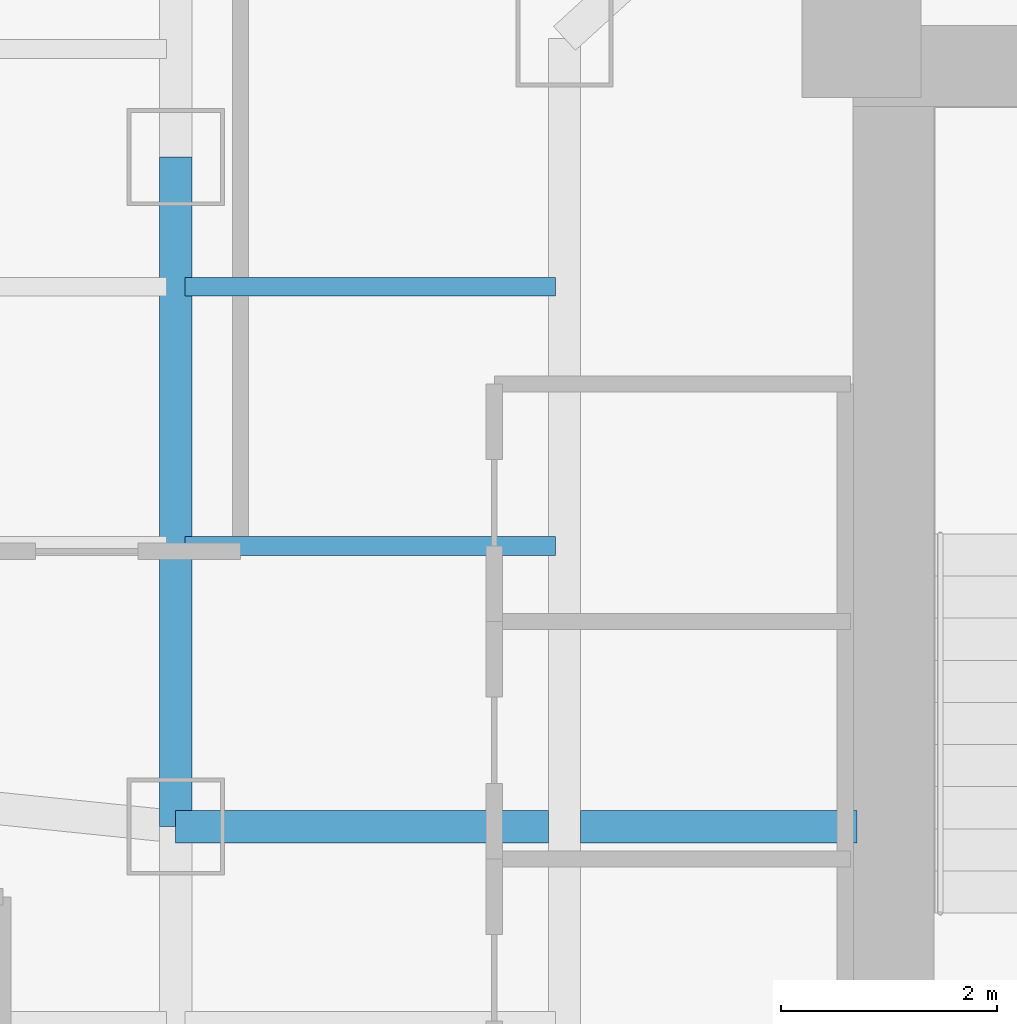
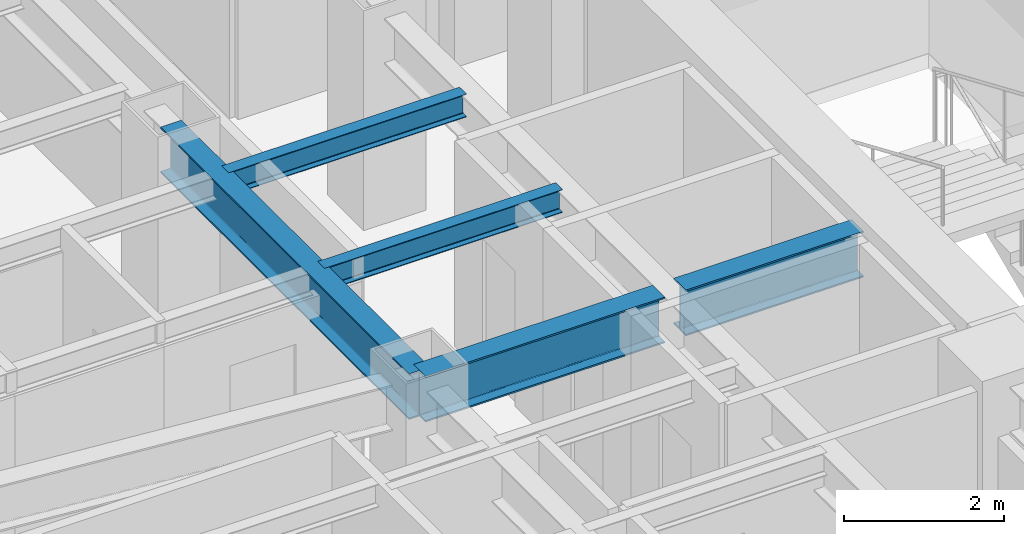
# One storey, part 16 of 30: 5 beams.
"""IFC4 building model written with IfcOpenShell, lengths in metres."""

import ifcopenshell
import ifcopenshell.guid

model = None  # the IFC model being written
_history = None  # IfcOwnerHistory: only IFC2X3 demands one
_inside = {}  # id of a spatial element -> (the spatial element, [elements in it])
_under = {}  # id of a project, library or spatial element -> (it, [spatial elements below it])
_declared = {}  # id of a project -> (the project, [libraries it declares])
_typed = {}  # id of a type object -> (the type object, [elements of that type])
_made_of = {}  # id of a material, layer set ... -> (it, [elements and type objects made of it])


def new_model(schema):
    """Start an empty IFC model of exactly this schema.

    Asked for "IFC4X3", IfcOpenShell would pick the latest addendum, in which some entities
    have other attributes; the version numbers below select the first issue.
    IFC2X3 requires an IfcOwnerHistory on every rooted entity: one is made here for all.
    """
    global model, _history
    if schema == "IFC4X3":
        model = ifcopenshell.file(schema_version=(4, 3, 0, 0))
    else:
        model = ifcopenshell.file(schema=schema)
    _inside.clear()
    _under.clear()
    _declared.clear()
    _typed.clear()
    _made_of.clear()
    _history = None
    if model.schema == "IFC2X3":
        org = make("IfcOrganization", Name="unknown")
        user = make(
            "IfcPersonAndOrganization",
            ThePerson=make("IfcPerson", FamilyName="unknown"),
            TheOrganization=org,
        )
        app = make(
            "IfcApplication",
            ApplicationDeveloper=org,
            Version="unknown",
            ApplicationFullName="unknown",
            ApplicationIdentifier="unknown",
        )
        _history = make(
            "IfcOwnerHistory",
            OwningUser=user,
            OwningApplication=app,
            ChangeAction="ADDED",
            CreationDate=0,
        )
    return model


def make(cls, **values):
    """One entity of the class cls with the attributes given. An attribute that is None is left unset."""
    return model.create_entity(
        cls, **{name: value for name, value in values.items() if value is not None}
    )


def rooted(cls, **values):
    """An entity with a GlobalId (a new one), such as an element, a storey or a relation."""
    return make(cls, GlobalId=ifcopenshell.guid.new(), OwnerHistory=_history, **values)


def si_unit(unit_type, name, prefix=None):
    """IfcSIUnit, for example si_unit("LENGTHUNIT", "METRE", prefix="MILLI")."""
    return make("IfcSIUnit", UnitType=unit_type, Prefix=prefix, Name=name)


def assignment(units):
    """IfcUnitAssignment: the units of a project."""
    return None if units is None else make("IfcUnitAssignment", Units=units)


def point(xyz):
    """IfcCartesianPoint."""
    return None if xyz is None else make("IfcCartesianPoint", Coordinates=xyz)


def direction(xyz):
    """IfcDirection."""
    return None if xyz is None else make("IfcDirection", DirectionRatios=xyz)


def frame(location, z_axis=None, x_axis=None):
    """IfcAxis2Placement3D, a coordinate frame: its origin and axes. An axis left out is left unset."""
    return make(
        "IfcAxis2Placement3D",
        Location=point(location),
        Axis=direction(z_axis),
        RefDirection=direction(x_axis),
    )


def frame_2d(location, x_axis=None):
    """IfcAxis2Placement2D, a coordinate frame in the plane: its origin and x axis."""
    return make(
        "IfcAxis2Placement2D", Location=point(location), RefDirection=direction(x_axis)
    )


def origin():
    """The frame at (0, 0, 0) with its axes left unset."""
    return frame((0.0, 0.0, 0.0))


def origin_2d():
    """The frame at (0, 0) in the plane with its x axis left unset."""
    return frame_2d((0.0, 0.0))


def place(relative_to, where):
    """IfcLocalPlacement: puts the frame where relative to a parent placement (None: the world)."""
    return make(
        "IfcLocalPlacement", PlacementRelTo=relative_to, RelativePlacement=where
    )


def context(
    kind, dimensions, precision=None, world=None, true_north=None, identifier=None
):
    """IfcGeometricRepresentationContext, for example the 3D "Model" context."""
    return make(
        "IfcGeometricRepresentationContext",
        ContextIdentifier=identifier,
        ContextType=kind,
        CoordinateSpaceDimension=dimensions,
        Precision=precision,
        WorldCoordinateSystem=world,
        TrueNorth=true_north,
    )


def subcontext(parent, identifier, kind, view, scale=None):
    """IfcGeometricRepresentationSubContext, for example "Body" below "Model"."""
    return make(
        "IfcGeometricRepresentationSubContext",
        ContextIdentifier=identifier,
        ContextType=kind,
        ParentContext=parent,
        TargetScale=scale,
        TargetView=view,
    )


def project(units=None, contexts=None):
    """IfcProject with its units and contexts."""
    return rooted(
        "IfcProject",
        Name="project",
        RepresentationContexts=contexts,
        UnitsInContext=assignment(units),
    )


def spatial(cls, under=None, at=None, **own):
    """A site, building, storey or space (cls), placed at a placement, below another one or the project."""
    s = rooted(cls, ObjectPlacement=at, **own)
    if under is not None:
        _under.setdefault(under.id(), (under, []))[1].append(s)
    return s


def profile(cls, at=None, kind="AREA", **sizes):
    """A parametric profile (cls). Its sizes go by their IFC names, for example OverallWidth=200.0."""
    return make(cls, ProfileType=kind, Position=at, **sizes)


def i_section(**sizes):
    """IfcIShapeProfileDef."""
    return profile("IfcIShapeProfileDef", **sizes)


def extrude(swept, where, along, depth):
    """IfcExtrudedAreaSolid: the profile swept, set in the frame where, extruded along a direction by depth."""
    return make(
        "IfcExtrudedAreaSolid",
        SweptArea=swept,
        Position=where,
        ExtrudedDirection=direction(along),
        Depth=depth,
    )


def shape(context_of_items, identifier, shape_type, items):
    """IfcShapeRepresentation: the items that make up one representation, for example the "Body"."""
    return make(
        "IfcShapeRepresentation",
        ContextOfItems=context_of_items,
        RepresentationIdentifier=identifier,
        RepresentationType=shape_type,
        Items=items,
    )


def material(Name=None, Category=None):
    """IfcMaterial."""
    return make("IfcMaterial", Name=Name, Category=Category)


def material_profile(
    of_material, cross_section, Name=None, Category=None, Priority=None
):
    """IfcMaterialProfile: a cross section and its material."""
    return make(
        "IfcMaterialProfile",
        Name=Name,
        Material=of_material,
        Profile=cross_section,
        Priority=Priority,
        Category=Category,
    )


def profile_set(profiles, Name=None, composite=None):
    """IfcMaterialProfileSet."""
    return make(
        "IfcMaterialProfileSet",
        Name=Name,
        MaterialProfiles=profiles,
        CompositeProfile=composite,
    )


def made_of(thing, what):
    """Note that an element or type object is made of a material, layer set ...; save() writes the relation."""
    if what is not None:
        _made_of.setdefault(what.id(), (what, []))[1].append(thing)
    return thing


def type_object(cls, material=None, **own):
    """A type object (cls), such as IfcWallType, which elements share."""
    return made_of(rooted(cls, **own), material)


def element(
    cls,
    number,
    at=None,
    inside=None,
    cuts=None,
    type_object=None,
    material=None,
    context=None,
    identifier="Body",
    shape_type=None,
    held_by="IfcProductDefinitionShape",
    body=None,
    shapes=None,
    **own,
):
    """One element of the class cls, such as IfcWall. Its Tag is "e" and its number.

    at: its placement. inside: the storey or other place that contains it. cuts: it is an
    opening in that element (IfcRelVoidsElement). A single representation is given by context,
    identifier, shape_type and body (its items); several are given by shapes. held_by: the class
    of the entity that holds the representations. save() writes the other relations.
    """
    e = rooted(cls, Tag="e%d" % number, ObjectPlacement=at, **own)
    if body is not None:
        shapes = [shape(context, identifier, shape_type, body)]
    if shapes is not None:
        e.Representation = make(held_by, Representations=shapes)
    if inside is not None:
        _inside.setdefault(inside.id(), (inside, []))[1].append(e)
    if cuts is not None:
        rooted(
            "IfcRelVoidsElement", RelatingBuildingElement=cuts, RelatedOpeningElement=e
        )
    if type_object is not None:
        _typed.setdefault(type_object.id(), (type_object, []))[1].append(e)
    return made_of(e, material)


def aggregate(whole, parts):
    """IfcRelAggregates: a whole, such as a stair, and the parts it consists of."""
    return rooted("IfcRelAggregates", RelatingObject=whole, RelatedObjects=parts)


def save(model, path):
    """Write the relations noted so far, then the file.

    IfcRelAggregates (storeys below a building ...), IfcRelContainedInSpatialStructure (elements
    in a storey), IfcRelDefinesByType, IfcRelAssociatesMaterial and IfcRelDeclares: one each for
    every whole, place, type object, material and project.
    """
    for whole, parts in _under.values():
        aggregate(whole, parts)
    for where, things in _inside.values():
        rooted(
            "IfcRelContainedInSpatialStructure",
            RelatedElements=things,
            RelatingStructure=where,
        )
    for kind, things in _typed.values():
        rooted("IfcRelDefinesByType", RelatedObjects=things, RelatingType=kind)
    for what, things in _made_of.values():
        rooted("IfcRelAssociatesMaterial", RelatedObjects=things, RelatingMaterial=what)
    for by, libraries in _declared.values():
        rooted("IfcRelDeclares", RelatingContext=by, RelatedDefinitions=libraries)
    model.write(path)


model = new_model("IFC4")

# Units and contexts
model_context = context("Model", 3, precision=1e-05, world=origin(), true_north=direction((0.0, 1.0)))
body_context = subcontext(model_context, "Body", "Model", "MODEL_VIEW")
ifc_project = project(units=[si_unit("LENGTHUNIT", "METRE"), si_unit("AREAUNIT", "SQUARE_METRE"), si_unit("VOLUMEUNIT", "CUBIC_METRE"), si_unit("PLANEANGLEUNIT", "RADIAN"), si_unit("MASSUNIT", "GRAM", prefix="KILO")], contexts=[model_context])

# Site, building, storey
site_placement = place(None, origin())
site = spatial("IfcSite", under=ifc_project, at=site_placement, CompositionType="ELEMENT")
building_placement = place(site_placement, origin())
building = spatial("IfcBuilding", under=site, at=building_placement, Name="Hatsunagi Terrace Concourse", CompositionType="ELEMENT")
storey_placement = place(building_placement, frame((0.0, 0.0, 74.60009765625)))
storey = spatial("IfcBuildingStorey", under=building, at=storey_placement, Name="L19", CompositionType="ELEMENT", Elevation=74.60009765625)

# Beams
ifc_material_1 = material(Name="Steel SN490B", Category="steel")
ifc_material_profile_1 = material_profile(ifc_material_1, i_section(OverallWidth=0.300048828125, OverallDepth=0.699951171875, WebThickness=0.012939453125, FlangeThickness=0.02392578125, FilletRadius=0.02197265625, at=origin_2d()), Name="H-700x300x13x24")
ifc_profile_set_1 = profile_set([ifc_material_profile_1], Name="Steel SN490B")
beam_type_1 = type_object("IfcBeamType", Name="HotelFloorGirder_H_700x300", PredefinedType="BEAM", material=ifc_profile_set_1)
beam_1_placement = place(storey_placement, frame((19.199951171875, 36.0, 2.77978515625), z_axis=(0.0, 1.0, 0.0), x_axis=(-1.0, 0.0, 0.0)))
element("IfcBeam", 1, at=beam_1_placement, inside=storey, type_object=beam_type_1, Name="Beam G-04 BM-L19-NS-19-36", PredefinedType="BEAM", context=body_context, shape_type="SweptSolid", body=[
    extrude(i_section(OverallWidth=0.300048828125, OverallDepth=0.699951171875, WebThickness=0.012939453125, FlangeThickness=0.02392578125, FilletRadius=0.02197265625, at=origin_2d()), origin(), (0.0, 0.0, 1.0), 6.199951171875),
])
beam_2_placement = place(storey_placement, frame((19.199951171875, 36.0, 2.77978515625), z_axis=(1.0, 0.0, 0.0), x_axis=(0.0, 1.0, 0.0)))
element("IfcBeam", 2, at=beam_2_placement, inside=storey, type_object=beam_type_1, Name="Beam G-04 BM-L19-EW-3", PredefinedType="BEAM", context=body_context, shape_type="SweptSolid", body=[
    extrude(i_section(OverallWidth=0.300048828125, OverallDepth=0.699951171875, WebThickness=0.012939453125, FlangeThickness=0.02392578125, FilletRadius=0.02197265625, at=origin_2d()), origin(), (0.0, 0.0, 1.0), 3.449951171875),
])
beam_3_placement = place(storey_placement, frame((22.949951171875, 36.0, 2.77978515625), z_axis=(1.0, 0.0, 0.0), x_axis=(0.0, 1.0, 0.0)))
element("IfcBeam", 3, at=beam_3_placement, inside=storey, type_object=beam_type_1, Name="Beam G-04 BM-L19-EW-4", PredefinedType="BEAM", context=body_context, shape_type="SweptSolid", body=[
    extrude(i_section(OverallWidth=0.300048828125, OverallDepth=0.699951171875, WebThickness=0.012939453125, FlangeThickness=0.02392578125, FilletRadius=0.02197265625, at=origin_2d()), origin(), (0.0, 0.0, 1.0), 2.56005859375),
])
ifc_material_2 = material(Name="Steel SN490B", Category="steel")
ifc_material_profile_2 = material_profile(ifc_material_2, i_section(OverallWidth=0.175048828125, OverallDepth=0.35009765625, WebThickness=0.007080078125, FlangeThickness=0.010986328125, FilletRadius=0.012939453125, at=origin_2d()), Name="H-350x175x7x11")
ifc_profile_set_2 = profile_set([ifc_material_profile_2], Name="Steel SN490B")
beam_type_2 = type_object("IfcBeamType", Name="HotelJoist_H_350x175", PredefinedType="JOIST", material=ifc_profile_set_2)
for number, where, z_axis, x_axis, name in (
    (4, (19.284912109375, 38.60009765625, 2.954833984375), (1.0, 0.0, 0.0), (0.0, 1.0, 0.0), "Beam J-02 J-L19-W-19-386"),
    (5, (19.284912109375, 41.0, 2.954833984375), (1.0, 0.0, 0.0), (0.0, 1.0, 0.0), "Beam J-02 J-L19-W-19-410"),
):
    element("IfcBeam", number, at=place(storey_placement, frame(where, z_axis=z_axis, x_axis=x_axis)), inside=storey, type_object=beam_type_2, Name=name, PredefinedType="JOIST", context=body_context, shape_type="SweptSolid", body=[
        extrude(i_section(OverallWidth=0.175048828125, OverallDepth=0.35009765625, WebThickness=0.007080078125, FlangeThickness=0.010986328125, FilletRadius=0.012939453125, at=origin_2d()), origin(), (0.0, 0.0, 1.0), 3.43017578125),
    ])

save(model, "model.ifc")
